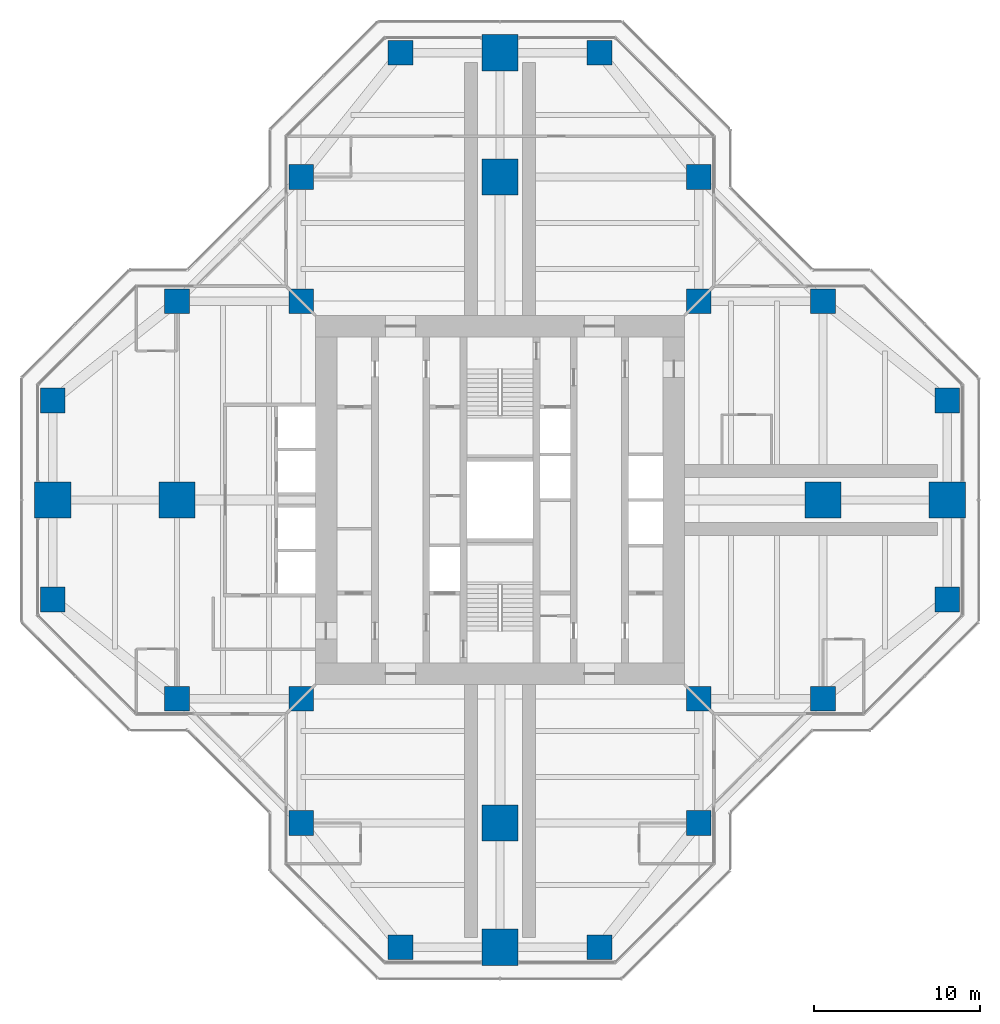
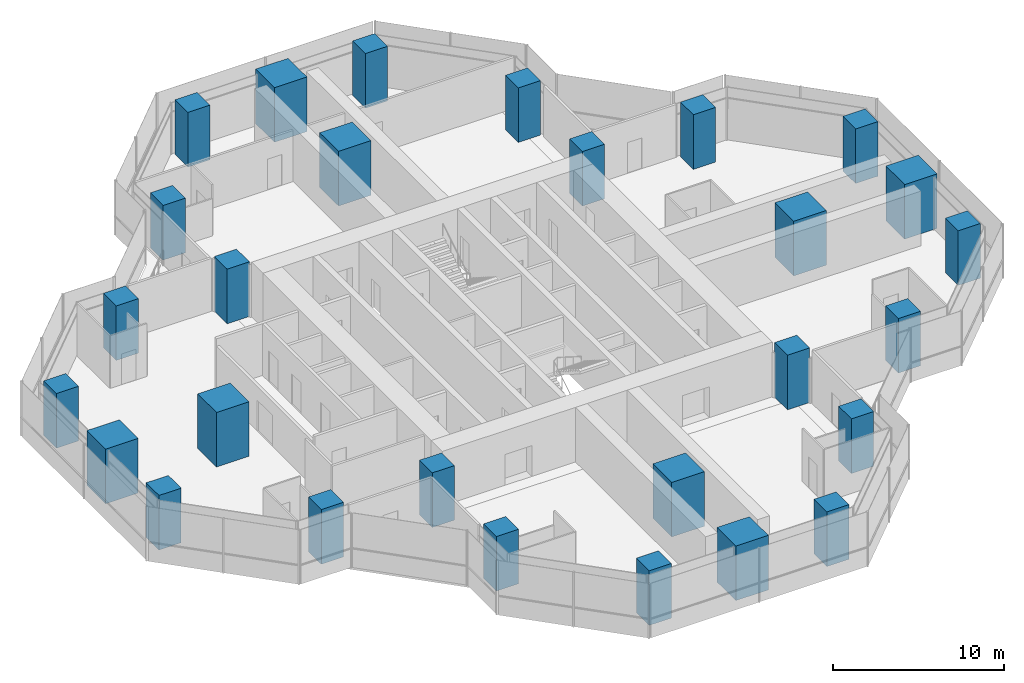
# One storey, part 1 of 17: 28 columns.
"""IFC4 building model written with IfcOpenShell, lengths in metres."""

from ifc_helpers import new_model, si_unit, direction, frame, origin, origin_2d, place, context, subcontext, project, spatial, rectangle, extrude, material, material_profile, profile_set, type_object, element, save


model = new_model("IFC4")

# Units and contexts
model_context = context("Model", 3, precision=1e-05, world=origin(), true_north=direction((0.0, 1.0)))
body_context = subcontext(model_context, "Body", "Model", "MODEL_VIEW")
ifc_project = project(units=[si_unit("LENGTHUNIT", "METRE"), si_unit("AREAUNIT", "SQUARE_METRE"), si_unit("VOLUMEUNIT", "CUBIC_METRE"), si_unit("PLANEANGLEUNIT", "RADIAN"), si_unit("MASSUNIT", "GRAM", prefix="KILO")], contexts=[model_context])

# Site, building, storey
site_placement = place(None, origin())
site = spatial("IfcSite", under=ifc_project, at=site_placement, CompositionType="ELEMENT")
building_placement = place(site_placement, origin())
building = spatial("IfcBuilding", under=site, at=building_placement, Name="Mizan Broadcast Tower", CompositionType="ELEMENT")
storey_placement = place(building_placement, frame((0.0, 0.0, 263.39990234375)))
storey = spatial("IfcBuildingStorey", under=building, at=storey_placement, Name="L62", CompositionType="ELEMENT", Elevation=263.39990234375)

# Columns
ifc_material_1 = material(Name="Concrete C70/85", Category="concrete")
ifc_material_profile_1 = material_profile(ifc_material_1, rectangle(XDim=1.5, YDim=1.5, at=origin_2d()), Name="RC 1500x1500")
ifc_profile_set_1 = profile_set([ifc_material_profile_1], Name="Concrete C70/85")
column_type_1 = type_object("IfcColumnType", Name="RC COLUMN 1500x1500 C70/85", PredefinedType="COLUMN", material=ifc_profile_set_1)
for number, where, z_axis, x_axis, name in (
    (1, (-6.0, -27.0, 0.0), (0.0, 0.0, 1.0), (1.0, 0.0, 0.0), "Column 5/B L62"),
    (2, (6.0, -27.0, 0.0), (0.0, 0.0, 1.0), (1.0, 0.0, 0.0), "Column 7/B L62"),
    (3, (-12.0, -19.5, 0.0), (0.0, 0.0, 1.0), (1.0, 0.0, 0.0), "Column 4/C L62"),
    (4, (12.0, -19.5, 0.0), (0.0, 0.0, 1.0), (1.0, 0.0, 0.0), "Column 8/C L62"),
    (5, (-19.5, -12.0, 0.0), (0.0, 0.0, 1.0), (1.0, 0.0, 0.0), "Column 3/D L62"),
    (6, (-12.0, -12.0, 0.0), (0.0, 0.0, 1.0), (1.0, 0.0, 0.0), "Column 4/D L62"),
    (7, (12.0, -12.0, 0.0), (0.0, 0.0, 1.0), (1.0, 0.0, 0.0), "Column 8/D L62"),
    (8, (19.5, -12.0, 0.0), (0.0, 0.0, 1.0), (1.0, 0.0, 0.0), "Column 9/D L62"),
    (9, (-27.0, -6.0, 0.0), (0.0, 0.0, 1.0), (1.0, 0.0, 0.0), "Column 2/E L62"),
    (10, (27.0, -6.0, 0.0), (0.0, 0.0, 1.0), (1.0, 0.0, 0.0), "Column 10/E L62"),
    (11, (-27.0, 6.0, 0.0), (0.0, 0.0, 1.0), (1.0, 0.0, 0.0), "Column 2/G L62"),
    (12, (27.0, 6.0, 0.0), (0.0, 0.0, 1.0), (1.0, 0.0, 0.0), "Column 10/G L62"),
    (13, (-19.5, 12.0, 0.0), (0.0, 0.0, 1.0), (1.0, 0.0, 0.0), "Column 3/H L62"),
    (14, (-12.0, 12.0, 0.0), (0.0, 0.0, 1.0), (1.0, 0.0, 0.0), "Column 4/H L62"),
    (15, (12.0, 12.0, 0.0), (0.0, 0.0, 1.0), (1.0, 0.0, 0.0), "Column 8/H L62"),
    (16, (19.5, 12.0, 0.0), (0.0, 0.0, 1.0), (1.0, 0.0, 0.0), "Column 9/H L62"),
    (17, (-12.0, 19.5, 0.0), (0.0, 0.0, 1.0), (1.0, 0.0, 0.0), "Column 4/J L62"),
    (18, (12.0, 19.5, 0.0), (0.0, 0.0, 1.0), (1.0, 0.0, 0.0), "Column 8/J L62"),
    (19, (-6.0, 27.0, 0.0), (0.0, 0.0, 1.0), (1.0, 0.0, 0.0), "Column 5/K L62"),
    (20, (6.0, 27.0, 0.0), (0.0, 0.0, 1.0), (1.0, 0.0, 0.0), "Column 7/K L62"),
):
    element("IfcColumn", number, at=place(storey_placement, frame(where, z_axis=z_axis, x_axis=x_axis)), inside=storey, type_object=column_type_1, Name=name, PredefinedType="COLUMN", context=body_context, shape_type="SweptSolid", body=[
        extrude(rectangle(XDim=1.5, YDim=1.5, at=origin_2d()), origin(), (0.0, 0.0, 1.0), 3.900146484375),
    ])
ifc_material_2 = material(Name="Concrete C70/85", Category="concrete")
ifc_material_profile_2 = material_profile(ifc_material_2, rectangle(XDim=2.199951171875, YDim=2.199951171875, at=origin_2d()), Name="RC 2200x2200")
ifc_profile_set_2 = profile_set([ifc_material_profile_2], Name="Concrete C70/85")
column_type_2 = type_object("IfcColumnType", Name="RC COLUMN 2200x2200 C70/85", PredefinedType="COLUMN", material=ifc_profile_set_2)
for number, where, z_axis, x_axis, name in (
    (21, (0.0, -27.0, 0.0), (0.0, 0.0, 1.0), (1.0, 0.0, 0.0), "Column 6/B L62"),
    (22, (0.0, -19.5, 0.0), (0.0, 0.0, 1.0), (1.0, 0.0, 0.0), "Column 6/C L62"),
    (23, (-27.0, 0.0, 0.0), (0.0, 0.0, 1.0), (1.0, 0.0, 0.0), "Column 2/F L62"),
    (24, (-19.5, 0.0, 0.0), (0.0, 0.0, 1.0), (1.0, 0.0, 0.0), "Column 3/F L62"),
    (25, (19.5, 0.0, 0.0), (0.0, 0.0, 1.0), (1.0, 0.0, 0.0), "Column 9/F L62"),
    (26, (27.0, 0.0, 0.0), (0.0, 0.0, 1.0), (1.0, 0.0, 0.0), "Column 10/F L62"),
    (27, (0.0, 19.5, 0.0), (0.0, 0.0, 1.0), (1.0, 0.0, 0.0), "Column 6/J L62"),
    (28, (0.0, 27.0, 0.0), (0.0, 0.0, 1.0), (1.0, 0.0, 0.0), "Column 6/K L62"),
):
    element("IfcColumn", number, at=place(storey_placement, frame(where, z_axis=z_axis, x_axis=x_axis)), inside=storey, type_object=column_type_2, Name=name, PredefinedType="COLUMN", context=body_context, shape_type="SweptSolid", body=[
        extrude(rectangle(XDim=2.199951171875, YDim=2.199951171875, at=origin_2d()), origin(), (0.0, 0.0, 1.0), 3.900146484375),
    ])

save(model, "model.ifc")
